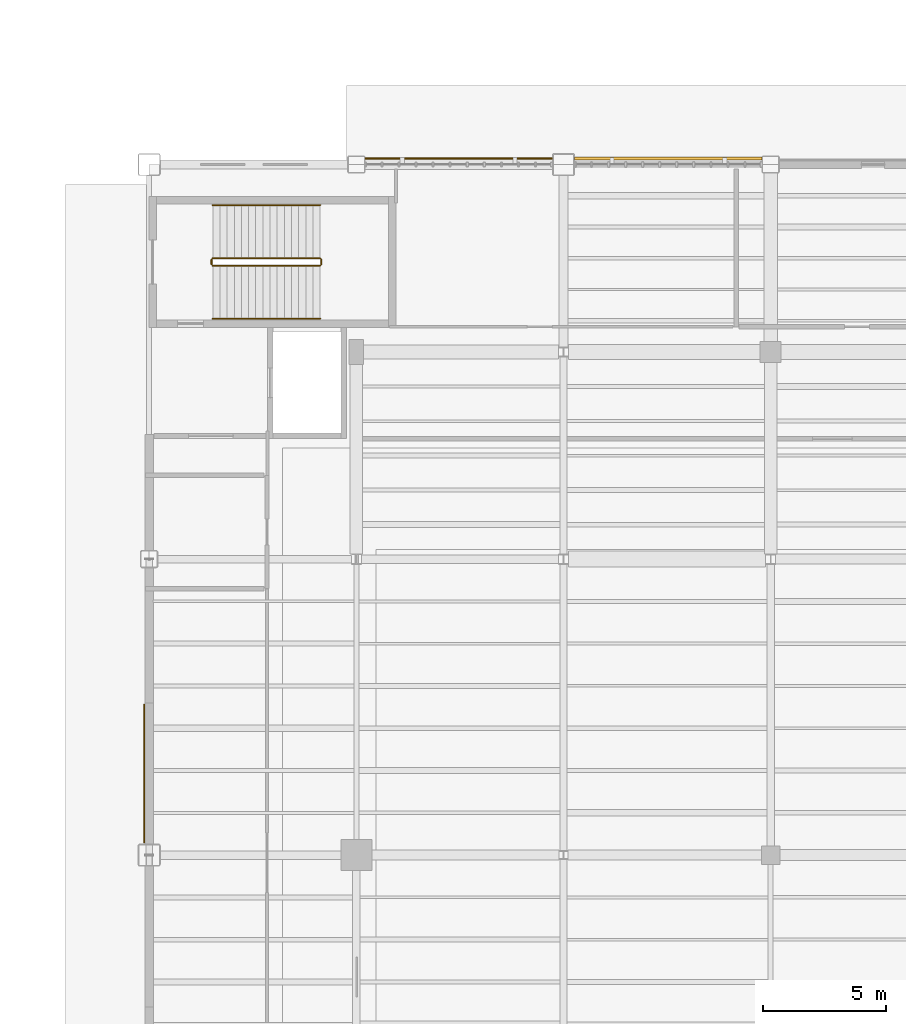
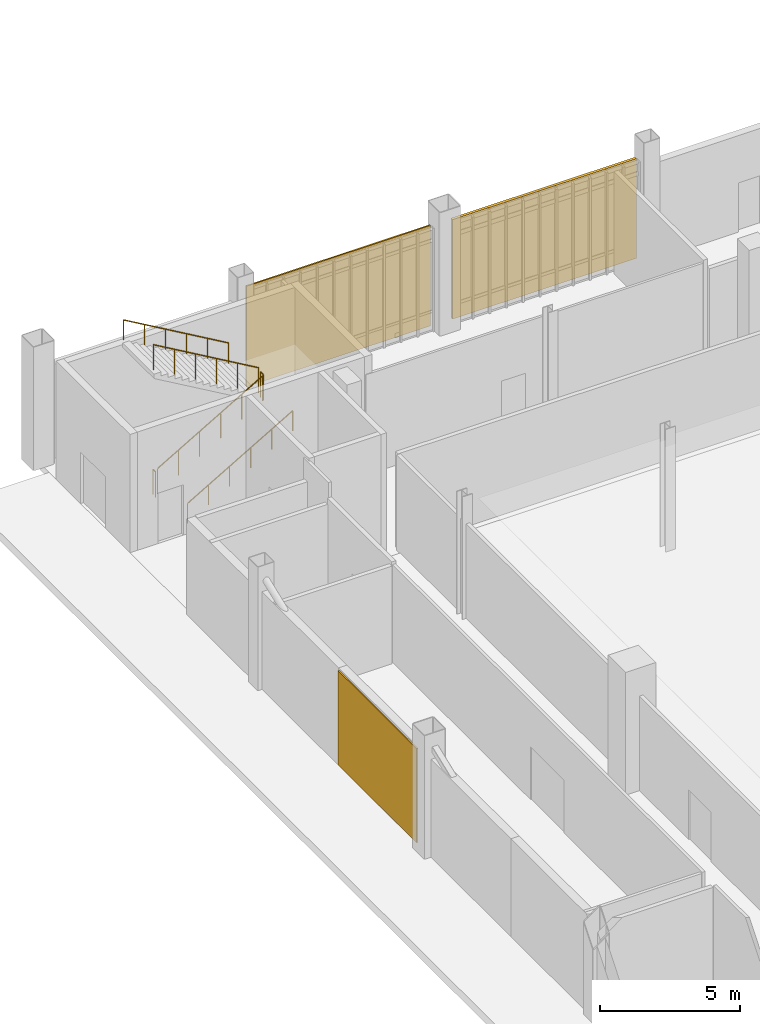
# One storey, part 105 of 111: 6 railings, 2 shading devices, 1 covering.
"""IFC4 building model written with IfcOpenShell, lengths in metres."""

from ifc_helpers import new_model, si_unit, direction, frame, origin, origin_2d, place, context, subcontext, project, spatial, rectangle, circle, extrude, material, layer, layer_set, type_object, element, save


model = new_model("IFC4")

# Units and contexts
model_context = context("Model", 3, precision=1e-05, world=origin(), true_north=direction((0.0, 1.0)))
body_context = subcontext(model_context, "Body", "Model", "MODEL_VIEW")
ifc_project = project(units=[si_unit("LENGTHUNIT", "METRE"), si_unit("AREAUNIT", "SQUARE_METRE"), si_unit("VOLUMEUNIT", "CUBIC_METRE"), si_unit("PLANEANGLEUNIT", "RADIAN"), si_unit("MASSUNIT", "GRAM", prefix="KILO")], contexts=[model_context])

# Site, building, storey
site_placement = place(None, origin())
site = spatial("IfcSite", under=ifc_project, at=site_placement, CompositionType="ELEMENT")
building_placement = place(site_placement, origin())
building = spatial("IfcBuilding", under=site, at=building_placement, Name="Larkvane Passage Sports Hall", CompositionType="ELEMENT")
storey_placement = place(building_placement, origin())
storey = spatial("IfcBuildingStorey", under=building, at=storey_placement, Name="L00", CompositionType="ELEMENT", Elevation=0.0)

# Covering
ifc_material_1 = material(Name="Perforated anodised aluminium 5052-H32", Category="aluminium")
ifc_layer_1 = layer(ifc_material_1, 0.050048828125)
ifc_layer_set_1 = layer_set([ifc_layer_1], Name="Perforated anodised aluminium 5052-H32")
covering_type = type_object("IfcCoveringType", Name="COV-MESH-VEIL", PredefinedType="CLADDING", material=ifc_layer_set_1)
covering_placement = place(storey_placement, frame((34.6025390625, 66.90576171875, 0.0751953125), z_axis=(0.0, 0.0, 1.0), x_axis=(0.0, 1.0, 0.0)))
element("IfcCovering", 1, at=covering_placement, inside=storey, type_object=covering_type, Name="Perforated cladding cassette L00-016", PredefinedType="CLADDING", context=body_context, shape_type="SweptSolid", body=[
    extrude(rectangle(XDim=5.61962890625, YDim=0.050048828125, at=origin_2d()), origin(), (0.0, 0.0, 1.0), 4.117919921875),
])

# Railings
ifc_material_2 = material(Name="Steel S355JR", Category="steel")
railing_type_1 = type_object("IfcRailingType", Name="RL-GUARD-1120", PredefinedType="GUARDRAIL", material=ifc_material_2)
railing_1_placement = place(storey_placement, frame((37.3798828125, 87.5, 0.168701171875)))
element("IfcRailing", 2, at=railing_1_placement, inside=storey, type_object=railing_type_1, Name="L00 ST-02 stair guard 1", PredefinedType="GUARDRAIL", context=body_context, shape_type="SweptSolid", body=[
    extrude(circle(Radius=0.02392578125, at=origin_2d()), frame((0.001708984375, 0.0, 1.09716796875), z_axis=(0.864323800911, 0.0, 0.50293574856), x_axis=(0.0, 1.0, 0.0)), (0.0, 0.0, 1.0), 5.029052734375),
    extrude(circle(Radius=0.02099609375, at=origin_2d()), origin(), (0.0, 0.0, 1.0), 1.072021484375),
    extrude(circle(Radius=0.02099609375, at=origin_2d()), frame((0.8701171875, 0.0, 0.50634765625)), (0.0, 0.0, 1.0), 1.072021484375),
    extrude(circle(Radius=0.02099609375, at=origin_2d()), frame((1.739990234375, 0.0, 1.012451171875)), (0.0, 0.0, 1.0), 1.072021484375),
    extrude(circle(Radius=0.02099609375, at=origin_2d()), frame((2.610107421875, 0.0, 1.518798828125)), (0.0, 0.0, 1.0), 1.072021484375),
    extrude(circle(Radius=0.02099609375, at=origin_2d()), frame((3.47998046875, 0.0, 2.02490234375)), (0.0, 0.0, 1.0), 1.072021484375),
    extrude(circle(Radius=0.02099609375, at=origin_2d()), frame((4.35009765625, 0.0, 2.53125)), (0.0, 0.0, 1.0), 1.072021484375),
])
railing_2_placement = place(storey_placement, frame((41.780029296875, 87.550048828125, 2.699951171875)))
element("IfcRailing", 3, at=railing_2_placement, inside=storey, type_object=railing_type_1, Name="L00 ST-02 stair guard 2", PredefinedType="GUARDRAIL", context=body_context, shape_type="SweptSolid", body=[
    extrude(circle(Radius=0.02392578125, at=origin_2d()), frame((0.0, 0.001953125, 1.09619140625), z_axis=(0.0, 1.0, 0.0), x_axis=(-1.0, 0.0, 0.0)), (0.0, 0.0, 1.0), 0.196044921875),
    extrude(circle(Radius=0.02099609375, at=origin_2d()), origin(), (0.0, 0.0, 1.0), 1.072021484375),
    extrude(circle(Radius=0.02099609375, at=origin_2d()), frame((0.0, 0.199951171875, 0.0)), (0.0, 0.0, 1.0), 1.072021484375),
])
railing_3_placement = place(storey_placement, frame((41.72998046875, 87.800048828125, 2.86865234375)))
element("IfcRailing", 4, at=railing_3_placement, inside=storey, type_object=railing_type_1, Name="L00 ST-02 stair guard 3", PredefinedType="GUARDRAIL", context=body_context, shape_type="SweptSolid", body=[
    extrude(circle(Radius=0.02392578125, at=origin_2d()), frame((-0.001708984375, 0.0, 1.09716796875), z_axis=(-0.864323800911, 0.0, 0.50293574856), x_axis=(0.0, -1.0, 0.0)), (0.0, 0.0, 1.0), 5.029052734375),
    extrude(circle(Radius=0.02099609375, at=origin_2d()), origin(), (0.0, 0.0, 1.0), 1.072021484375),
    extrude(circle(Radius=0.02099609375, at=origin_2d()), frame((-0.8701171875, 0.0, 0.50634765625)), (0.0, 0.0, 1.0), 1.072021484375),
    extrude(circle(Radius=0.02099609375, at=origin_2d()), frame((-1.739990234375, 0.0, 1.012451171875)), (0.0, 0.0, 1.0), 1.072021484375),
    extrude(circle(Radius=0.02099609375, at=origin_2d()), frame((-2.610107421875, 0.0, 1.518798828125)), (0.0, 0.0, 1.0), 1.072021484375),
    extrude(circle(Radius=0.02099609375, at=origin_2d()), frame((-3.47998046875, 0.0, 2.02490234375)), (0.0, 0.0, 1.0), 1.072021484375),
    extrude(circle(Radius=0.02099609375, at=origin_2d()), frame((-4.35009765625, 0.0, 2.53125)), (0.0, 0.0, 1.0), 1.072021484375),
])
railing_4_placement = place(storey_placement, frame((37.330078125, 87.550048828125, 0.0)))
element("IfcRailing", 5, at=railing_4_placement, inside=storey, type_object=railing_type_1, Name="L00 ST-02 stair guard 4", PredefinedType="GUARDRAIL", context=body_context, shape_type="SweptSolid", body=[
    extrude(circle(Radius=0.02392578125, at=origin_2d()), frame((0.0, 0.001953125, 1.09619140625), z_axis=(0.0, 1.0, 0.0), x_axis=(-1.0, 0.0, 0.0)), (0.0, 0.0, 1.0), 0.196044921875),
    extrude(circle(Radius=0.02099609375, at=origin_2d()), origin(), (0.0, 0.0, 1.0), 1.072021484375),
    extrude(circle(Radius=0.02099609375, at=origin_2d()), frame((0.0, 0.199951171875, 0.0)), (0.0, 0.0, 1.0), 1.072021484375),
])
ifc_material_3 = material(Name="Stainless steel S355JR", Category="steel")
railing_type_2 = type_object("IfcRailingType", Name="RL-HAND-920", PredefinedType="HANDRAIL", material=ifc_material_3)
railing_5_placement = place(storey_placement, frame((37.3798828125, 85.35009765625, 0.168701171875)))
element("IfcRailing", 6, at=railing_5_placement, inside=storey, type_object=railing_type_2, Name="L00 ST-02 stair handrail 1", PredefinedType="HANDRAIL", context=body_context, shape_type="SweptSolid", body=[
    extrude(circle(Radius=0.02392578125, at=origin_2d()), frame((0.001708984375, 0.0, 0.876953125), z_axis=(0.864323800911, 0.0, 0.50293574856), x_axis=(0.0, 1.0, 0.0)), (0.0, 0.0, 1.0), 5.029052734375),
    extrude(circle(Radius=0.02099609375, at=origin_2d()), origin(), (0.0, 0.0, 1.0), 0.851806640625),
    extrude(circle(Radius=0.02099609375, at=origin_2d()), frame((0.8701171875, 0.0, 0.50634765625)), (0.0, 0.0, 1.0), 0.851806640625),
    extrude(circle(Radius=0.02099609375, at=origin_2d()), frame((1.739990234375, 0.0, 1.012451171875)), (0.0, 0.0, 1.0), 0.851806640625),
    extrude(circle(Radius=0.02099609375, at=origin_2d()), frame((2.610107421875, 0.0, 1.518798828125)), (0.0, 0.0, 1.0), 0.851806640625),
    extrude(circle(Radius=0.02099609375, at=origin_2d()), frame((3.47998046875, 0.0, 2.02490234375)), (0.0, 0.0, 1.0), 0.851806640625),
    extrude(circle(Radius=0.02099609375, at=origin_2d()), frame((4.35009765625, 0.0, 2.53125)), (0.0, 0.0, 1.0), 0.851806640625),
])
railing_6_placement = place(storey_placement, frame((41.72998046875, 89.949951171875, 2.86865234375)))
element("IfcRailing", 7, at=railing_6_placement, inside=storey, type_object=railing_type_2, Name="L00 ST-02 stair handrail 2", PredefinedType="HANDRAIL", context=body_context, shape_type="SweptSolid", body=[
    extrude(circle(Radius=0.02392578125, at=origin_2d()), frame((-0.001708984375, 0.0, 0.876953125), z_axis=(-0.864323800911, 0.0, 0.50293574856), x_axis=(0.0, -1.0, 0.0)), (0.0, 0.0, 1.0), 5.029052734375),
    extrude(circle(Radius=0.02099609375, at=origin_2d()), origin(), (0.0, 0.0, 1.0), 0.851806640625),
    extrude(circle(Radius=0.02099609375, at=origin_2d()), frame((-0.8701171875, 0.0, 0.50634765625)), (0.0, 0.0, 1.0), 0.851806640625),
    extrude(circle(Radius=0.02099609375, at=origin_2d()), frame((-1.739990234375, 0.0, 1.012451171875)), (0.0, 0.0, 1.0), 0.851806640625),
    extrude(circle(Radius=0.02099609375, at=origin_2d()), frame((-2.610107421875, 0.0, 1.518798828125)), (0.0, 0.0, 1.0), 0.851806640625),
    extrude(circle(Radius=0.02099609375, at=origin_2d()), frame((-3.47998046875, 0.0, 2.02490234375)), (0.0, 0.0, 1.0), 0.851806640625),
    extrude(circle(Radius=0.02099609375, at=origin_2d()), frame((-4.35009765625, 0.0, 2.53125)), (0.0, 0.0, 1.0), 0.851806640625),
])

# Shading devices
ifc_material_4 = material(Name="Extruded aluminium 6063-T6", Category="aluminium")
ifc_layer_2 = layer(ifc_material_4, 0.1201171875)
ifc_layer_set_2 = layer_set([ifc_layer_2], Name="Extruded aluminium 6063-T6")
shading_device_type_1 = type_object("IfcShadingDeviceType", Name="SHD-LOUVRE-STORM", PredefinedType="JALOUSIE", material=ifc_layer_set_2)
shading_device_1_placement = place(storey_placement, frame((55.85009765625, 91.840087890625, 0.06005859375), z_axis=(0.0, 0.0, 1.0), x_axis=(1.0, 0.0, 0.0)))
element("IfcShadingDevice", 8, at=shading_device_1_placement, inside=storey, type_object=shading_device_type_1, Name="Solar veil screen L00-006", PredefinedType="JALOUSIE", context=body_context, shape_type="SweptSolid", body=[
    extrude(rectangle(XDim=7.60791015625, YDim=0.1201171875, at=origin_2d()), origin(), (0.0, 0.0, 1.0), 4.347900390625),
])
ifc_layer_3 = layer(ifc_material_1, 0.06005859375)
ifc_layer_set_3 = layer_set([ifc_layer_3], Name="Perforated anodised aluminium 5052-H32")
shading_device_type_2 = type_object("IfcShadingDeviceType", Name="SHD-VEIL-PERF", PredefinedType="SHUTTER", material=ifc_layer_set_3)
shading_device_2_placement = place(storey_placement, frame((47.35009765625, 91.840087890625, 0.06005859375), z_axis=(0.0, 0.0, 1.0), x_axis=(1.0, 0.0, 0.0)))
element("IfcShadingDevice", 9, at=shading_device_2_placement, inside=storey, type_object=shading_device_type_2, Name="Solar veil screen L00-005", PredefinedType="SHUTTER", context=body_context, shape_type="SweptSolid", body=[
    extrude(rectangle(XDim=7.60791015625, YDim=0.06005859375, at=origin_2d()), origin(), (0.0, 0.0, 1.0), 4.39794921875),
])

save(model, "model.ifc")
